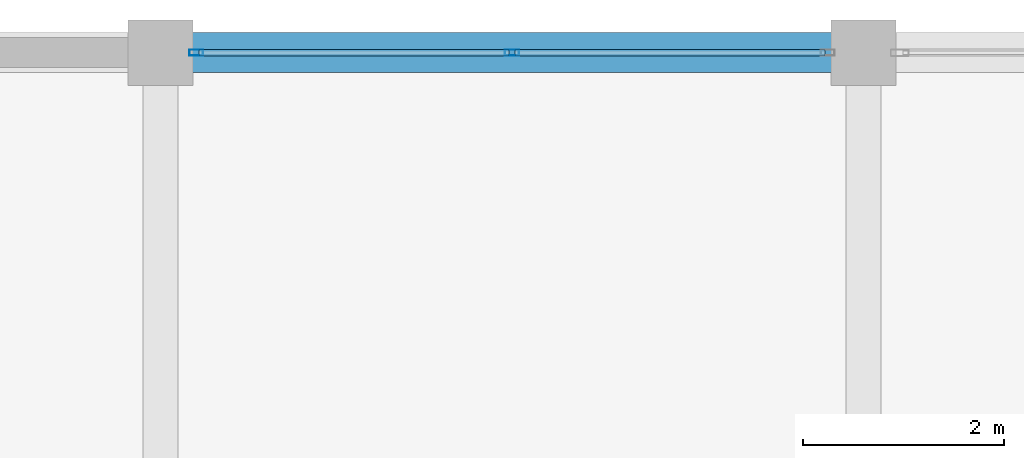
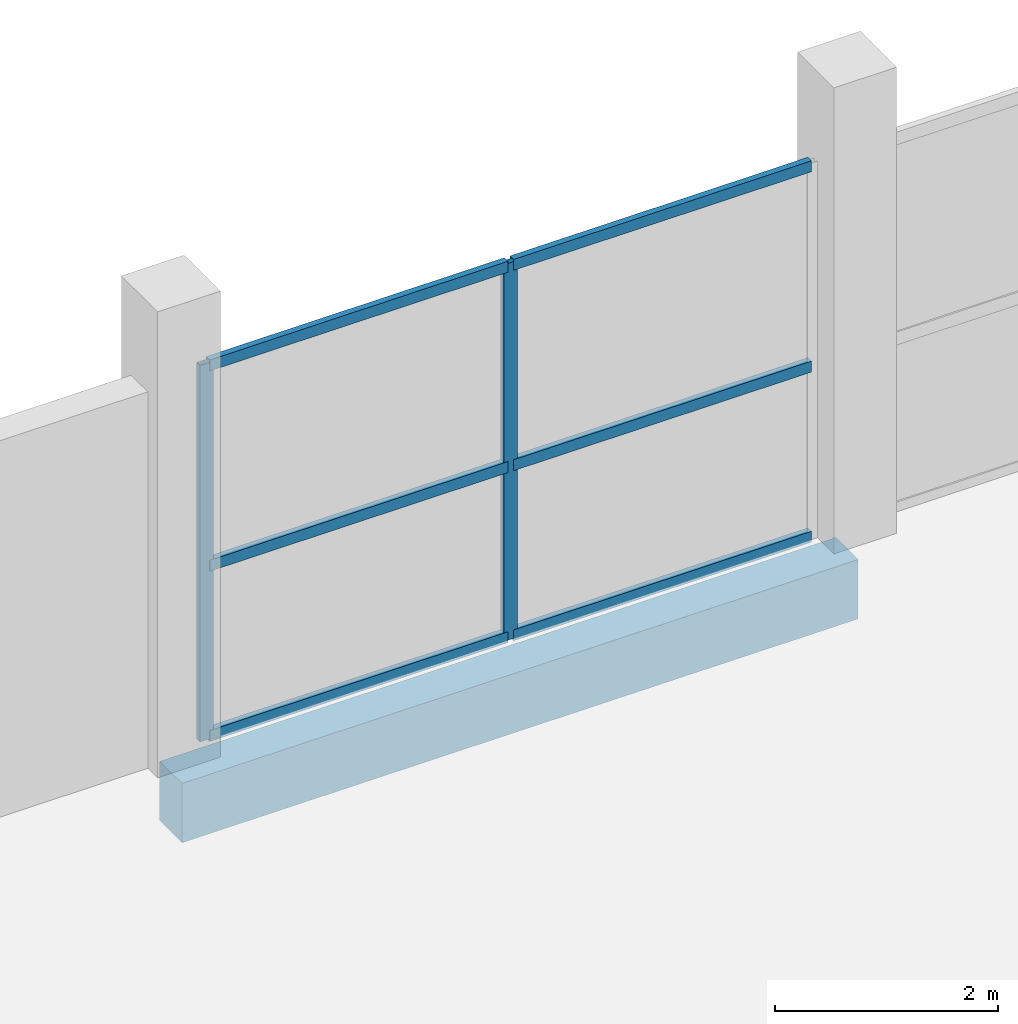
# One storey, part 40 of 66: 8 members, 1 beam, 1 element without a shape of its own.
"""IFC4 building model written with IfcOpenShell, lengths in metres."""

from ifc_helpers import new_model, si_unit, direction, frame, origin, origin_2d, place, context, subcontext, project, spatial, rectangle, hollow_rectangle, extrude, material, layer, layer_set, material_profile, profile_set, type_object, element, aggregate, save


model = new_model("IFC4")

# Units and contexts
model_context = context("Model", 3, precision=1e-05, world=origin(), true_north=direction((0.0, 1.0)))
body_context = subcontext(model_context, "Body", "Model", "MODEL_VIEW")
ifc_project = project(units=[si_unit("LENGTHUNIT", "METRE"), si_unit("AREAUNIT", "SQUARE_METRE"), si_unit("VOLUMEUNIT", "CUBIC_METRE"), si_unit("PLANEANGLEUNIT", "RADIAN"), si_unit("MASSUNIT", "GRAM", prefix="KILO")], contexts=[model_context])

# Site, building, storey
site_placement = place(None, origin())
site = spatial("IfcSite", under=ifc_project, at=site_placement, CompositionType="ELEMENT")
building_placement = place(site_placement, origin())
building = spatial("IfcBuilding", under=site, at=building_placement, Name="Sillaruma Civic Art Gallery", CompositionType="ELEMENT")
storey_placement = place(building_placement, frame((0.0, 0.0, 57.1201171875)))
storey = spatial("IfcBuildingStorey", under=building, at=storey_placement, Name="L11", CompositionType="ELEMENT", Elevation=57.1201171875)

# Beam
ifc_material_1 = material(Name="Concrete H35 (35 MPa)", Category="concrete")
ifc_material_profile_1 = material_profile(ifc_material_1, rectangle(XDim=0.39990234375, YDim=0.64990234375, at=origin_2d()), Name="RCB400x650")
ifc_profile_set_1 = profile_set([ifc_material_profile_1], Name="Concrete H35 (35 MPa)")
beam_type = type_object("IfcBeamType", Name="BM-SPANDREL-RCB400x650", PredefinedType="SPANDREL", material=ifc_profile_set_1)
beam_placement = place(storey_placement, frame((70.0, 99.0, -0.5751953125), z_axis=(1.0, 0.0, 0.0), x_axis=(0.0, 1.0, 0.0)))
element("IfcBeam", 1, at=beam_placement, inside=storey, type_object=beam_type, Name="Beam BS-02 (L10:11:G-H)", PredefinedType="SPANDREL", context=body_context, shape_type="SweptSolid", body=[
    extrude(rectangle(XDim=0.39990234375, YDim=0.64990234375, at=origin_2d()), origin(), (0.0, 0.0, 1.0), 7.0),
])

# Curtain wall, members
ifc_material_2 = material(Name="Thermally Broken Extruded Aluminium 6063-T6", Category="aluminium")
ifc_layer = layer(ifc_material_2, 0.139892578125, Name="Thermally Broken Extruded Aluminium 6063-T6")
ifc_layer_set = layer_set([ifc_layer], Name="Thermally Broken Extruded Aluminium 6063-T6")
curtain_wall_type = type_object("IfcCurtainWallType", Name="CW-UNI-76", PredefinedType="NOTDEFINED", material=ifc_layer_set)
curtain_wall_placement = place(storey_placement, origin())
curtain_wall = element("IfcCurtainWall", 2, at=curtain_wall_placement, inside=storey, type_object=curtain_wall_type, Name="Unitised Curtain Wall CW-76 (CW-L11-WBN-2)", PredefinedType="NOTDEFINED")
ifc_material_profile_2 = material_profile(ifc_material_2, hollow_rectangle(XDim=0.06005859375, YDim=0.139892578125, WallThickness=0.00341796875, at=origin_2d()), Name="CWM60x140")
ifc_profile_set_2 = profile_set([ifc_material_profile_2], Name="Thermally Broken Extruded Aluminium 6063-T6")
member_type_1 = type_object("IfcMemberType", Name="MEM-MUL-CWM60x140", PredefinedType="MULLION", material=ifc_profile_set_2)
member_1_placement = place(storey_placement, frame((70.35498046875, 99.0, 0.0), z_axis=(0.0, 0.0, 1.0), x_axis=(0.0, 1.0, 0.0)))
member_1 = element("IfcMember", 3, at=member_1_placement, type_object=member_type_1, Name="CW-76 mullion 1", PredefinedType="MULLION", context=body_context, shape_type="SweptSolid", body=[
    extrude(hollow_rectangle(XDim=0.06005859375, YDim=0.139892578125, WallThickness=0.00341796875, at=origin_2d()), origin(), (0.0, 0.0, 1.0), 4.119873046875),
])
member_2_placement = place(storey_placement, frame((73.5, 99.0, 0.0), z_axis=(0.0, 0.0, 1.0), x_axis=(0.0, 1.0, 0.0)))
member_2 = element("IfcMember", 4, at=member_2_placement, type_object=member_type_1, Name="CW-76 mullion 2", PredefinedType="MULLION", context=body_context, shape_type="SweptSolid", body=[
    extrude(hollow_rectangle(XDim=0.06005859375, YDim=0.139892578125, WallThickness=0.00341796875, at=origin_2d()), origin(), (0.0, 0.0, 1.0), 4.119873046875),
])
ifc_material_profile_3 = material_profile(ifc_material_2, hollow_rectangle(XDim=0.06494140625, YDim=0.1201171875, WallThickness=0.00341796875, at=origin_2d()), Name="CWT65x120")
ifc_profile_set_3 = profile_set([ifc_material_profile_3], Name="Thermally Broken Extruded Aluminium 6063-T6")
member_type_2 = type_object("IfcMemberType", Name="MEM-TRN-CWT65x120", PredefinedType="USERDEFINED", material=ifc_profile_set_3)
member_3_placement = place(storey_placement, frame((70.385009765625, 99.0, 0.032470703125), z_axis=(1.0, 0.0, 0.0), x_axis=(0.0, 1.0, 0.0)))
member_3 = element("IfcMember", 5, at=member_3_placement, type_object=member_type_2, Name="CW-76 transom 1.1", ObjectType="TRANSOM", PredefinedType="USERDEFINED", context=body_context, shape_type="SweptSolid", body=[
    extrude(hollow_rectangle(XDim=0.06494140625, YDim=0.1201171875, WallThickness=0.00341796875, at=origin_2d()), origin(), (0.0, 0.0, 1.0), 3.0849609375),
])
member_4_placement = place(storey_placement, frame((70.385009765625, 99.0, 1.89501953125), z_axis=(1.0, 0.0, 0.0), x_axis=(0.0, 1.0, 0.0)))
member_4 = element("IfcMember", 6, at=member_4_placement, type_object=member_type_2, Name="CW-76 transom 1.2", ObjectType="TRANSOM", PredefinedType="USERDEFINED", context=body_context, shape_type="SweptSolid", body=[
    extrude(hollow_rectangle(XDim=0.06494140625, YDim=0.1201171875, WallThickness=0.00341796875, at=origin_2d()), origin(), (0.0, 0.0, 1.0), 3.0849609375),
])
member_5_placement = place(storey_placement, frame((70.385009765625, 99.0, 4.08740234375), z_axis=(1.0, 0.0, 0.0), x_axis=(0.0, 1.0, 0.0)))
member_5 = element("IfcMember", 7, at=member_5_placement, type_object=member_type_2, Name="CW-76 transom 1.3", ObjectType="TRANSOM", PredefinedType="USERDEFINED", context=body_context, shape_type="SweptSolid", body=[
    extrude(hollow_rectangle(XDim=0.06494140625, YDim=0.1201171875, WallThickness=0.00341796875, at=origin_2d()), origin(), (0.0, 0.0, 1.0), 3.0849609375),
])
member_6_placement = place(storey_placement, frame((73.530029296875, 99.0, 0.032470703125), z_axis=(1.0, 0.0, 0.0), x_axis=(0.0, 1.0, 0.0)))
member_6 = element("IfcMember", 8, at=member_6_placement, type_object=member_type_2, Name="CW-76 transom 2.1", ObjectType="TRANSOM", PredefinedType="USERDEFINED", context=body_context, shape_type="SweptSolid", body=[
    extrude(hollow_rectangle(XDim=0.06494140625, YDim=0.1201171875, WallThickness=0.00341796875, at=origin_2d()), origin(), (0.0, 0.0, 1.0), 3.0849609375),
])
member_7_placement = place(storey_placement, frame((73.530029296875, 99.0, 1.89501953125), z_axis=(1.0, 0.0, 0.0), x_axis=(0.0, 1.0, 0.0)))
member_7 = element("IfcMember", 9, at=member_7_placement, type_object=member_type_2, Name="CW-76 transom 2.2", ObjectType="TRANSOM", PredefinedType="USERDEFINED", context=body_context, shape_type="SweptSolid", body=[
    extrude(hollow_rectangle(XDim=0.06494140625, YDim=0.1201171875, WallThickness=0.00341796875, at=origin_2d()), origin(), (0.0, 0.0, 1.0), 3.0849609375),
])
member_8_placement = place(storey_placement, frame((73.530029296875, 99.0, 4.08740234375), z_axis=(1.0, 0.0, 0.0), x_axis=(0.0, 1.0, 0.0)))
member_8 = element("IfcMember", 10, at=member_8_placement, type_object=member_type_2, Name="CW-76 transom 2.3", ObjectType="TRANSOM", PredefinedType="USERDEFINED", context=body_context, shape_type="SweptSolid", body=[
    extrude(hollow_rectangle(XDim=0.06494140625, YDim=0.1201171875, WallThickness=0.00341796875, at=origin_2d()), origin(), (0.0, 0.0, 1.0), 3.0849609375),
])
aggregate(curtain_wall, [member_1, member_2, member_3, member_4, member_5, member_6, member_7, member_8])

save(model, "model.ifc")
